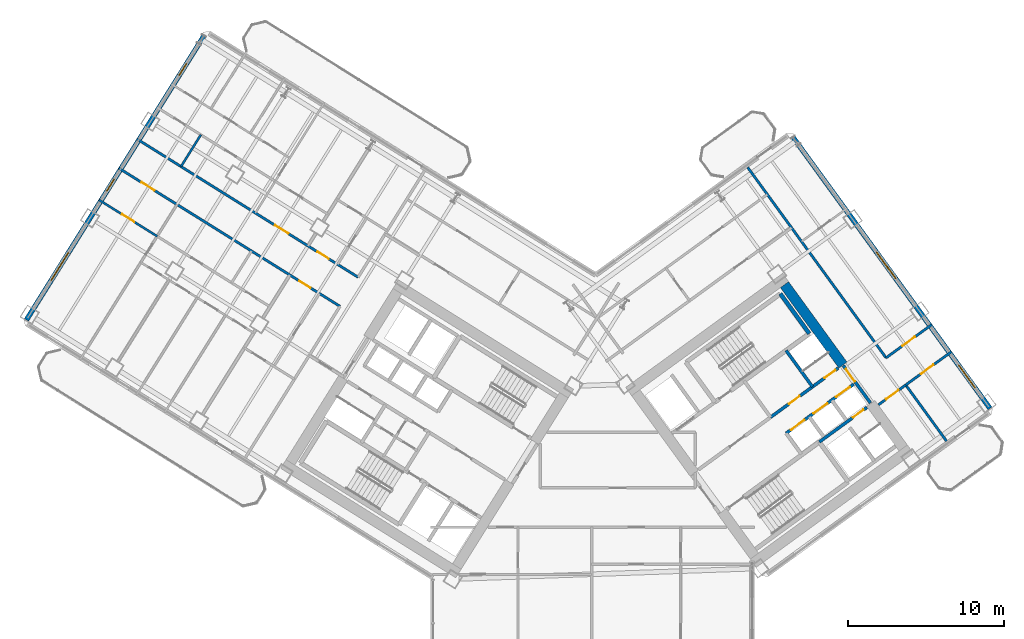
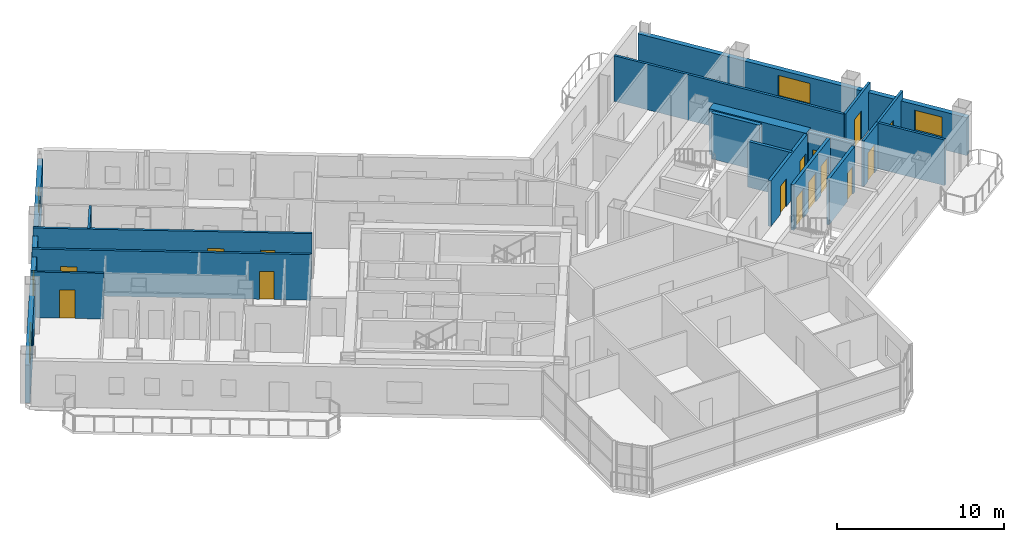
# One storey, part 15 of 21: 18 walls, 15 doors, 5 windows, 20 openings.
"""IFC4 building model written with IfcOpenShell, lengths in metres."""

from ifc_helpers import new_model, si_unit, direction, frame, frame_2d, origin, place, context, subcontext, project, spatial, rectangle, extrude, source, transform, mapped, material, layer, layer_set, type_object, element, fill, save


model = new_model("IFC4")

# Units and contexts
model_context = context("Model", 3, precision=1e-05, world=origin(), true_north=direction((0.0, 1.0)))
body_context = subcontext(model_context, "Body", "Model", "MODEL_VIEW")
ifc_project = project(units=[si_unit("LENGTHUNIT", "METRE"), si_unit("AREAUNIT", "SQUARE_METRE"), si_unit("VOLUMEUNIT", "CUBIC_METRE"), si_unit("PLANEANGLEUNIT", "RADIAN"), si_unit("MASSUNIT", "GRAM", prefix="KILO")], contexts=[model_context])

# Site, building, storey
site_placement = place(None, origin())
site = spatial("IfcSite", under=ifc_project, at=site_placement, CompositionType="ELEMENT")
building_placement = place(site_placement, origin())
building = spatial("IfcBuilding", under=site, at=building_placement, Name="Tlacorven Tower", CompositionType="ELEMENT")
storey_placement = place(building_placement, frame((0.0, 0.0, 90.0)))
storey = spatial("IfcBuildingStorey", under=building, at=storey_placement, Name="L22", CompositionType="ELEMENT", Elevation=90.0)

# Wall
ifc_material_1 = material(Name="Concrete C60/75", Category="concrete")
ifc_layer_1 = layer(ifc_material_1, 0.64990234375)
ifc_layer_set_1 = layer_set([ifc_layer_1], Name="Concrete C60/75")
wall_type_1 = type_object("IfcWallType", Name="WL-COR-650", PredefinedType="SHEAR", material=ifc_layer_set_1)
wall_1_placement = place(storey_placement, frame((58.06396484375, 25.8134765625, 0.0), z_axis=(0.0, 0.0, 1.0), x_axis=(-0.58777996584, 0.809020835181, 0.0)))
element("IfcWall", 1, at=wall_1_placement, inside=storey, type_object=wall_type_1, Name="L22 E core end wall E2.2", PredefinedType="SHEAR", context=body_context, shape_type="SweptSolid", body=[
    extrude(rectangle(XDim=6.375, YDim=0.64990234375, at=frame_2d((3.1875, 0.0))), origin(), (0.0, 0.0, 1.0), 3.35009765625),
])

# Wall, openings, doors
ifc_material_2 = material(Name="Gypsum plasterboard acoustic partition", Category="gypsum")
ifc_layer_2 = layer(ifc_material_2, 0.159912109375)
ifc_layer_set_2 = layer_set([ifc_layer_2], Name="Gypsum plasterboard acoustic partition")
wall_type_2 = type_object("IfcWallType", Name="WL-DEM-160", PredefinedType="PARTITIONING", material=ifc_layer_set_2)
wall_2_placement = place(storey_placement, frame((26.97265625, 31.447265625, 0.0), z_axis=(0.0, 0.0, 1.0), x_axis=(-0.848048310262, 0.529918921593, 0.0)))
wall_2 = element("IfcWall", 2, at=wall_2_placement, inside=storey, type_object=wall_type_2, Name="L22 Wing W Corridor South Wall", PredefinedType="PARTITIONING", context=body_context, shape_type="SweptSolid", body=[
    extrude(rectangle(XDim=16.72998046875, YDim=0.159912109375, at=frame_2d((8.364990234375, 0.0))), origin(), (0.0, 0.0, 1.0), 3.340087890625),
])
opening_1_placement = place(wall_2_placement, frame((2.219970703125, 0.0, 0.0)))
opening_1 = element("IfcOpeningElement", 3, at=opening_1_placement, cuts=wall_2, Name="Opening D19", PredefinedType="OPENING", context=body_context, shape_type="SweptSolid", body=[
    extrude(rectangle(XDim=0.860107421875, YDim=2.050048828125, at=frame_2d((0.43017578125, 1.02490234375))), frame((0.0, 0.08984375, 0.0), z_axis=(0.0, -1.0, 0.0), x_axis=(1.0, 0.0, 0.0)), (0.0, 0.0, 1.0), 0.179931640625),
])
opening_2_placement = place(wall_2_placement, frame((5.280029296875, 0.0, 0.0)))
opening_2 = element("IfcOpeningElement", 4, at=opening_2_placement, cuts=wall_2, Name="Opening D11", PredefinedType="OPENING", context=body_context, shape_type="SweptSolid", body=[
    extrude(rectangle(XDim=1.0, YDim=2.10009765625, at=frame_2d((0.5, 1.050048828125))), frame((0.0, 0.08984375, 0.0), z_axis=(0.0, -1.0, 0.0), x_axis=(1.0, 0.0, 0.0)), (0.0, 0.0, 1.0), 0.179931640625),
])
ifc_material_3 = material(Name="Fire-rated steel door assembly", Category="steel")
door_type_1 = type_object("IfcDoorType", Name="DR-RSR-FD60-0860", OperationType="NOTDEFINED", PredefinedType="DOOR", material=ifc_material_3)
shared_shape_1 = source(origin(), body_context, "Body", "SweptSolid", [
    extrude(rectangle(XDim=0.860107421875, YDim=2.050048828125, at=frame_2d((0.43017578125, 1.02490234375))), frame((0.0, 0.02490234375, 0.0), z_axis=(0.0, -1.0, 0.0), x_axis=(1.0, 0.0, 0.0)), (0.0, 0.0, 1.0), 0.050048828125),
])
door_1_placement = place(opening_1_placement, origin())
door_1 = element("IfcDoor", 5, at=door_1_placement, inside=storey, type_object=door_type_1, Name="L22 door 036", OperationType="SINGLE_SWING_RIGHT", OverallHeight=2.050048828125, OverallWidth=0.860107421875, PredefinedType="DOOR", context=body_context, shape_type="MappedRepresentation", body=[
    mapped(shared_shape_1, transform((0.0, 0.0, 0.0), scale=1.0)),
])
fill(opening_1, door_1)
door_type_2 = type_object("IfcDoorType", Name="DR-FLT-FD60-1000", OperationType="NOTDEFINED", PredefinedType="DOOR", material=ifc_material_3)
shared_shape_2 = source(origin(), body_context, "Body", "SweptSolid", [
    extrude(rectangle(XDim=1.0, YDim=2.10009765625, at=frame_2d((0.5, 1.050048828125))), frame((0.0, 0.02490234375, 0.0), z_axis=(0.0, -1.0, 0.0), x_axis=(1.0, 0.0, 0.0)), (0.0, 0.0, 1.0), 0.050048828125),
])
door_2_placement = place(opening_2_placement, origin())
door_2 = element("IfcDoor", 6, at=door_2_placement, inside=storey, type_object=door_type_2, Name="L22 door 040", OperationType="SINGLE_SWING_RIGHT", OverallHeight=2.10009765625, OverallWidth=1.0, PredefinedType="DOOR", context=body_context, shape_type="MappedRepresentation", body=[
    mapped(shared_shape_2, transform((0.0, 0.0, 0.0), scale=1.0)),
])
fill(opening_2, door_2)

wall_3_placement = place(storey_placement, frame((25.806884765625, 29.58154296875, 0.0), z_axis=(0.0, 0.0, 1.0), x_axis=(-0.848052408131, 0.529912363569, 0.0)))
wall_3 = element("IfcWall", 7, at=wall_3_placement, inside=storey, type_object=wall_type_2, Name="L22 Wing W Corridor North Wall", PredefinedType="PARTITIONING", context=body_context, shape_type="SweptSolid", body=[
    extrude(rectangle(XDim=16.72998046875, YDim=0.159912109375, at=frame_2d((8.364990234375, 0.0))), origin(), (0.0, 0.0, 1.0), 3.340087890625),
])
opening_3_placement = place(wall_3_placement, frame((2.219970703125, 0.0, 0.0)))
opening_3 = element("IfcOpeningElement", 8, at=opening_3_placement, cuts=wall_3, Name="Opening D19", PredefinedType="OPENING", context=body_context, shape_type="SweptSolid", body=[
    extrude(rectangle(XDim=0.860107421875, YDim=2.050048828125, at=frame_2d((0.43017578125, 1.02490234375))), frame((0.0, 0.08984375, 0.0), z_axis=(0.0, -1.0, 0.0), x_axis=(1.0, 0.0, 0.0)), (0.0, 0.0, 1.0), 0.179931640625),
])
opening_4_placement = place(wall_3_placement, frame((14.013427734375, 0.0, 0.0)))
opening_4 = element("IfcOpeningElement", 9, at=opening_4_placement, cuts=wall_3, Name="Opening D11", PredefinedType="OPENING", context=body_context, shape_type="SweptSolid", body=[
    extrude(rectangle(XDim=1.0, YDim=2.10009765625, at=frame_2d((0.5, 1.050048828125))), frame((0.0, 0.08984375, 0.0), z_axis=(0.0, -1.0, 0.0), x_axis=(1.0, 0.0, 0.0)), (0.0, 0.0, 1.0), 0.179931640625),
])
door_3_placement = place(opening_3_placement, origin())
door_3 = element("IfcDoor", 10, at=door_3_placement, inside=storey, type_object=door_type_1, Name="L22 door 023", OperationType="SINGLE_SWING_LEFT", OverallHeight=2.050048828125, OverallWidth=0.860107421875, PredefinedType="DOOR", context=body_context, shape_type="MappedRepresentation", body=[
    mapped(shared_shape_1, transform((0.0, 0.0, 0.0), scale=1.0)),
])
fill(opening_3, door_3)
door_4_placement = place(opening_4_placement, origin())
door_4 = element("IfcDoor", 11, at=door_4_placement, inside=storey, type_object=door_type_2, Name="L22 door 027", OperationType="SINGLE_SWING_LEFT", OverallHeight=2.10009765625, OverallWidth=1.0, PredefinedType="DOOR", context=body_context, shape_type="MappedRepresentation", body=[
    mapped(shared_shape_2, transform((0.0, 0.0, 0.0), scale=1.0)),
])
fill(opening_4, door_4)

# Wall, opening, door
wall_4_placement = place(storey_placement, frame((60.34716796875, 23.269775390625, 0.0), z_axis=(0.0, 0.0, 1.0), x_axis=(0.80899039758, 0.587821857898, 0.0)))
wall_4 = element("IfcWall", 12, at=wall_4_placement, inside=storey, type_object=wall_type_2, Name="L22 partition 100", PredefinedType="PARTITIONING", context=body_context, shape_type="SweptSolid", body=[
    extrude(rectangle(XDim=2.157958984375, YDim=0.159912109375, at=frame_2d((1.0791015625, 0.0))), origin(), (0.0, 0.0, 1.0), 3.340087890625),
])
opening_5_placement = place(wall_4_placement, frame((0.597900390625, 0.0, 0.0)))
opening_5 = element("IfcOpeningElement", 13, at=opening_5_placement, cuts=wall_4, Name="Opening D11", PredefinedType="OPENING", context=body_context, shape_type="SweptSolid", body=[
    extrude(rectangle(XDim=1.0, YDim=2.10009765625, at=frame_2d((0.5, 1.050048828125))), frame((0.0, 0.08984375, 0.0), z_axis=(0.0, -1.0, 0.0), x_axis=(1.0, 0.0, 0.0)), (0.0, 0.0, 1.0), 0.179931640625),
])
door_5_placement = place(opening_5_placement, frame((1.0, 0.0, 0.0), z_axis=(0.0, 0.0, 1.0), x_axis=(-1.0, 0.0, 0.0)))
door_5 = element("IfcDoor", 14, at=door_5_placement, inside=storey, type_object=door_type_2, Name="L22 door 064", OperationType="SINGLE_SWING_RIGHT", OverallHeight=2.10009765625, OverallWidth=1.0, PredefinedType="DOOR", context=body_context, shape_type="MappedRepresentation", body=[
    mapped(shared_shape_2, transform((0.0, 0.0, 0.0), scale=1.0)),
])
fill(opening_5, door_5)

# Walls
wall_5_placement = place(storey_placement, frame((64.708740234375, 20.93798828125, 0.0), z_axis=(0.0, 0.0, 1.0), x_axis=(-0.587773666605, 0.809025411743, 0.0)))
element("IfcWall", 15, at=wall_5_placement, inside=storey, type_object=wall_type_2, Name="L22 partition 102", PredefinedType="PARTITIONING", context=body_context, shape_type="SweptSolid", body=[
    extrude(rectangle(XDim=4.4501953125, YDim=0.159912109375, at=frame_2d((2.22509765625, 0.0))), origin(), (0.0, 0.0, 1.0), 3.340087890625),
])
wall_6_placement = place(storey_placement, frame((60.829345703125, 26.277587890625, 0.0), z_axis=(0.0, 0.0, 1.0), x_axis=(-0.587777474174, 0.809022645451, 0.0)))
element("IfcWall", 16, at=wall_6_placement, inside=storey, type_object=wall_type_2, Name="L22 partition 103", PredefinedType="PARTITIONING", context=body_context, shape_type="SweptSolid", body=[
    extrude(rectangle(XDim=15.10009765625, YDim=0.159912109375, at=frame_2d((7.550048828125, 0.0))), origin(), (0.0, 0.0, 1.0), 3.340087890625),
])

# Wall, opening, door
wall_7_placement = place(storey_placement, frame((62.093017578125, 24.538330078125, 0.0), z_axis=(0.0, 0.0, 1.0), x_axis=(0.809035546126, 0.58775971715, 0.0)))
wall_7 = element("IfcWall", 17, at=wall_7_placement, inside=storey, type_object=wall_type_2, Name="L22 partition 105", PredefinedType="PARTITIONING", context=body_context, shape_type="SweptSolid", body=[
    extrude(rectangle(XDim=3.6298828125, YDim=0.159912109375, at=frame_2d((1.81494140625, 0.0))), origin(), (0.0, 0.0, 1.0), 3.340087890625),
])
opening_6_placement = place(wall_7_placement, frame((1.199951171875, 0.0, 0.0)))
opening_6 = element("IfcOpeningElement", 18, at=opening_6_placement, cuts=wall_7, Name="Opening D11", PredefinedType="OPENING", context=body_context, shape_type="SweptSolid", body=[
    extrude(rectangle(XDim=1.0, YDim=2.10009765625, at=frame_2d((0.5, 1.050048828125))), frame((0.0, 0.08984375, 0.0), z_axis=(0.0, -1.0, 0.0), x_axis=(1.0, 0.0, 0.0)), (0.0, 0.0, 1.0), 0.179931640625),
])
door_6_placement = place(opening_6_placement, frame((1.0, 0.0, 0.0), z_axis=(0.0, 0.0, 1.0), x_axis=(-1.0, 0.0, 0.0)))
door_6 = element("IfcDoor", 19, at=door_6_placement, inside=storey, type_object=door_type_2, Name="L22 door 068", OperationType="SINGLE_SWING_RIGHT", OverallHeight=2.10009765625, OverallWidth=1.0, PredefinedType="DOOR", context=body_context, shape_type="MappedRepresentation", body=[
    mapped(shared_shape_2, transform((0.0, 0.0, 0.0), scale=1.0)),
])
fill(opening_6, door_6)

wall_8_placement = place(storey_placement, frame((60.829345703125, 26.277587890625, 0.0), z_axis=(0.0, 0.0, 1.0), x_axis=(0.809003564202, 0.587803736896, 0.0)))
wall_8 = element("IfcWall", 20, at=wall_8_placement, inside=storey, type_object=wall_type_2, Name="L22 partition 106", PredefinedType="PARTITIONING", context=body_context, shape_type="SweptSolid", body=[
    extrude(rectangle(XDim=3.630126953125, YDim=0.159912109375, at=frame_2d((1.81494140625, 0.0))), origin(), (0.0, 0.0, 1.0), 3.340087890625),
])
opening_7_placement = place(wall_8_placement, frame((1.304931640625, 0.0, 0.0)))
opening_7 = element("IfcOpeningElement", 21, at=opening_7_placement, cuts=wall_8, Name="Opening D11", PredefinedType="OPENING", context=body_context, shape_type="SweptSolid", body=[
    extrude(rectangle(XDim=1.0, YDim=2.10009765625, at=frame_2d((0.5, 1.050048828125))), frame((0.0, 0.08984375, 0.0), z_axis=(0.0, -1.0, 0.0), x_axis=(1.0, 0.0, 0.0)), (0.0, 0.0, 1.0), 0.179931640625),
])
door_7_placement = place(opening_7_placement, origin())
door_7 = element("IfcDoor", 22, at=door_7_placement, inside=storey, type_object=door_type_2, Name="L22 door 066", OperationType="SINGLE_SWING_LEFT", OverallHeight=2.10009765625, OverallWidth=1.0, PredefinedType="DOOR", context=body_context, shape_type="MappedRepresentation", body=[
    mapped(shared_shape_2, transform((0.0, 0.0, 0.0), scale=1.0)),
])
fill(opening_7, door_7)

# Wall, openings, windows
ifc_material_4 = material(Name="Precast concrete C45/55", Category="concrete")
ifc_layer_3 = layer(ifc_material_4, 0.320068359375)
ifc_layer_set_3 = layer_set([ifc_layer_3], Name="Precast concrete C45/55")
wall_type_3 = type_object("IfcWallType", Name="WL-EXT-320", PredefinedType="STANDARD", material=ifc_layer_set_3)
wall_9_placement = place(storey_placement, frame((5.699951171875, 28.71044921875, 0.0), z_axis=(0.0, 0.0, 1.0), x_axis=(0.529923711467, 0.8480453172, 0.0)))
wall_9 = element("IfcWall", 23, at=wall_9_placement, inside=storey, type_object=wall_type_3, Name="L22 Masonry-Frame Recessed Facade Wall 2", PredefinedType="STANDARD", context=body_context, shape_type="SweptSolid", body=[
    extrude(rectangle(XDim=21.58740234375, YDim=0.320068359375, at=frame_2d((10.793701171875, 0.0))), origin(), (0.0, 0.0, 1.0), 2.77490234375),
])
opening_8_placement = place(wall_9_placement, frame((2.99365234375, 0.0, 0.800048828125)))
opening_8 = element("IfcOpeningElement", 24, at=opening_8_placement, cuts=wall_9, Name="Opening WN04", PredefinedType="OPENING", context=body_context, shape_type="SweptSolid", body=[
    extrude(rectangle(XDim=2.10009765625, YDim=1.550048828125, at=frame_2d((1.050048828125, 0.77490234375))), frame((0.0, 0.169921875, 0.0), z_axis=(0.0, -1.0, 0.0), x_axis=(1.0, 0.0, 0.0)), (0.0, 0.0, 1.0), 0.340087890625),
])
opening_9_placement = place(wall_9_placement, frame((9.73876953125, 0.0, 1.0)))
opening_9 = element("IfcOpeningElement", 25, at=opening_9_placement, cuts=wall_9, Name="Opening WN05", PredefinedType="OPENING", context=body_context, shape_type="SweptSolid", body=[
    extrude(rectangle(XDim=0.89990234375, YDim=1.25, at=frame_2d((0.449951171875, 0.625))), frame((0.0, 0.169921875, 0.0), z_axis=(0.0, -1.0, 0.0), x_axis=(1.0, 0.0, 0.0)), (0.0, 0.0, 1.0), 0.340087890625),
])
opening_10_placement = place(wall_9_placement, frame((18.476318359375, 0.0, 1.0)))
opening_10 = element("IfcOpeningElement", 26, at=opening_10_placement, cuts=wall_9, Name="Opening WN05", PredefinedType="OPENING", context=body_context, shape_type="SweptSolid", body=[
    extrude(rectangle(XDim=0.89990234375, YDim=1.25, at=frame_2d((0.449951171875, 0.625))), frame((0.0, 0.169921875, 0.0), z_axis=(0.0, -1.0, 0.0), x_axis=(1.0, 0.0, 0.0)), (0.0, 0.0, 1.0), 0.340087890625),
])
ifc_material_5 = material(Name="Dark solar low-E double glazing in anodised aluminium frame", Category="aluminium")
window_type_1 = type_object("IfcWindowType", Name="WN-APT-2100X1750", PartitioningType="SINGLE_PANEL", PredefinedType="WINDOW", material=ifc_material_5)
shared_shape_3 = source(origin(), body_context, "Body", "SweptSolid", [
    extrude(rectangle(XDim=2.10009765625, YDim=1.550048828125, at=frame_2d((1.050048828125, 0.77490234375))), frame((0.0, 0.030029296875, 0.0), z_axis=(0.0, -1.0, 0.0), x_axis=(1.0, 0.0, 0.0)), (0.0, 0.0, 1.0), 0.06005859375),
])
window_1_placement = place(opening_8_placement, origin())
window_1 = element("IfcWindow", 27, at=window_1_placement, inside=storey, type_object=window_type_1, Name="L22 Recessed Masonry-Frame Window L22-02.1", OverallHeight=1.550048828125, OverallWidth=2.10009765625, PartitioningType="SINGLE_PANEL", PredefinedType="WINDOW", context=body_context, shape_type="MappedRepresentation", body=[
    mapped(shared_shape_3, transform((0.0, 0.0, 0.0), scale=1.0)),
])
fill(opening_8, window_1)
window_type_2 = type_object("IfcWindowType", Name="WN-APT-0900X1350", PartitioningType="SINGLE_PANEL", PredefinedType="WINDOW", material=ifc_material_5)
shared_shape_4 = source(origin(), body_context, "Body", "SweptSolid", [
    extrude(rectangle(XDim=0.89990234375, YDim=1.25, at=frame_2d((0.449951171875, 0.625))), frame((0.0, 0.030029296875, 0.0), z_axis=(0.0, -1.0, 0.0), x_axis=(1.0, 0.0, 0.0)), (0.0, 0.0, 1.0), 0.06005859375),
])
window_2_placement = place(opening_9_placement, origin())
window_2 = element("IfcWindow", 28, at=window_2_placement, inside=storey, type_object=window_type_2, Name="L22 Recessed Masonry-Frame Window L22-02.2", OverallHeight=1.25, OverallWidth=0.89990234375, PartitioningType="SINGLE_PANEL", PredefinedType="WINDOW", context=body_context, shape_type="MappedRepresentation", body=[
    mapped(shared_shape_4, transform((0.0, 0.0, 0.0), scale=1.0)),
])
fill(opening_9, window_2)
window_3_placement = place(opening_10_placement, origin())
window_3 = element("IfcWindow", 29, at=window_3_placement, inside=storey, type_object=window_type_2, Name="L22 Recessed Masonry-Frame Window L22-02.3", OverallHeight=1.25, OverallWidth=0.89990234375, PartitioningType="SINGLE_PANEL", PredefinedType="WINDOW", context=body_context, shape_type="MappedRepresentation", body=[
    mapped(shared_shape_4, transform((0.0, 0.0, 0.0), scale=1.0)),
])
fill(opening_10, window_3)

wall_10_placement = place(storey_placement, frame((54.810302734375, 40.49951171875, 0.0), z_axis=(0.0, 0.0, 1.0), x_axis=(0.587783625747, -0.809018176127, 0.0)))
wall_10 = element("IfcWall", 30, at=wall_10_placement, inside=storey, type_object=wall_type_3, Name="L22 Masonry-Frame Recessed Facade Wall 5", PredefinedType="STANDARD", context=body_context, shape_type="SweptSolid", body=[
    extrude(rectangle(XDim=21.58740234375, YDim=0.320068359375, at=frame_2d((10.793701171875, 0.0))), origin(), (0.0, 0.0, 1.0), 2.77490234375),
])
opening_11_placement = place(wall_10_placement, frame((9.193603515625, 0.0, 0.800048828125)))
opening_11 = element("IfcOpeningElement", 31, at=opening_11_placement, cuts=wall_10, Name="Opening WN04", PredefinedType="OPENING", context=body_context, shape_type="SweptSolid", body=[
    extrude(rectangle(XDim=2.10009765625, YDim=1.550048828125, at=frame_2d((1.050048828125, 0.77490234375))), frame((0.0, 0.169921875, 0.0), z_axis=(0.0, -1.0, 0.0), x_axis=(1.0, 0.0, 0.0)), (0.0, 0.0, 1.0), 0.340087890625),
])
opening_12_placement = place(wall_10_placement, frame((18.15869140625, 0.0, 0.85009765625)))
opening_12 = element("IfcOpeningElement", 32, at=opening_12_placement, cuts=wall_10, Name="Opening WN01", PredefinedType="OPENING", context=body_context, shape_type="SweptSolid", body=[
    extrude(rectangle(XDim=1.800048828125, YDim=1.5, at=frame_2d((0.89990234375, 0.75))), frame((0.0, 0.169921875, 0.0), z_axis=(0.0, -1.0, 0.0), x_axis=(1.0, 0.0, 0.0)), (0.0, 0.0, 1.0), 0.340087890625),
])
window_4_placement = place(opening_11_placement, origin())
window_4 = element("IfcWindow", 33, at=window_4_placement, inside=storey, type_object=window_type_1, Name="L22 Recessed Masonry-Frame Window L22-05.1", OverallHeight=1.550048828125, OverallWidth=2.10009765625, PartitioningType="SINGLE_PANEL", PredefinedType="WINDOW", context=body_context, shape_type="MappedRepresentation", body=[
    mapped(shared_shape_3, transform((0.0, 0.0, 0.0), scale=1.0)),
])
fill(opening_11, window_4)
window_type_3 = type_object("IfcWindowType", Name="WN-APT-1800X1650", PartitioningType="SINGLE_PANEL", PredefinedType="WINDOW", material=ifc_material_5)
shared_shape_5 = source(origin(), body_context, "Body", "SweptSolid", [
    extrude(rectangle(XDim=1.800048828125, YDim=1.5, at=frame_2d((0.89990234375, 0.75))), frame((0.0, 0.030029296875, 0.0), z_axis=(0.0, -1.0, 0.0), x_axis=(1.0, 0.0, 0.0)), (0.0, 0.0, 1.0), 0.06005859375),
])
window_5_placement = place(opening_12_placement, origin())
window_5 = element("IfcWindow", 34, at=window_5_placement, inside=storey, type_object=window_type_3, Name="L22 Recessed Masonry-Frame Window L22-05.2", OverallHeight=1.5, OverallWidth=1.800048828125, PartitioningType="SINGLE_PANEL", PredefinedType="WINDOW", context=body_context, shape_type="MappedRepresentation", body=[
    mapped(shared_shape_5, transform((0.0, 0.0, 0.0), scale=1.0)),
])
fill(opening_12, window_5)

# Wall, opening, door
ifc_material_6 = material(Name="Moisture-resistant gypsum plumbing wall", Category="gypsum")
ifc_layer_4 = layer(ifc_material_6, 0.139892578125)
ifc_layer_set_4 = layer_set([ifc_layer_4], Name="Moisture-resistant gypsum plumbing wall")
wall_type_4 = type_object("IfcWallType", Name="WL-PLM-140", PredefinedType="PLUMBINGWALL", material=ifc_layer_set_4)
wall_11_placement = place(storey_placement, frame((14.089599609375, 34.0732421875, 0.0), z_axis=(0.0, 0.0, 1.0), x_axis=(-0.848045135007, 0.529924003034, 0.0)))
wall_11 = element("IfcWall", 35, at=wall_11_placement, inside=storey, type_object=wall_type_4, Name="L22 partition 61", PredefinedType="PLUMBINGWALL", context=body_context, shape_type="SweptSolid", body=[
    extrude(rectangle(XDim=4.392822265625, YDim=0.139892578125, at=frame_2d((2.1962890625, 0.0))), origin(), (0.0, 0.0, 1.0), 3.340087890625),
])
opening_13_placement = place(wall_11_placement, frame((1.736572265625, 0.0, 0.0)))
opening_13 = element("IfcOpeningElement", 36, at=opening_13_placement, cuts=wall_11, Name="Opening D12", PredefinedType="OPENING", context=body_context, shape_type="SweptSolid", body=[
    extrude(rectangle(XDim=0.919921875, YDim=2.080078125, at=frame_2d((0.4599609375, 1.0400390625))), frame((0.0, 0.080078125, 0.0), z_axis=(0.0, -1.0, 0.0), x_axis=(1.0, 0.0, 0.0)), (0.0, 0.0, 1.0), 0.159912109375),
])
ifc_material_7 = material(Name="Powder-coated aluminium and timber door", Category="wood")
door_type_3 = type_object("IfcDoorType", Name="DR-INT-ROOM-0920", OperationType="NOTDEFINED", PredefinedType="DOOR", material=ifc_material_7)
shared_shape_6 = source(origin(), body_context, "Body", "SweptSolid", [
    extrude(rectangle(XDim=0.919921875, YDim=2.080078125, at=frame_2d((0.4599609375, 1.0400390625))), frame((0.0, 0.02490234375, 0.0), z_axis=(0.0, -1.0, 0.0), x_axis=(1.0, 0.0, 0.0)), (0.0, 0.0, 1.0), 0.050048828125),
])
door_8_placement = place(opening_13_placement, origin())
door_8 = element("IfcDoor", 37, at=door_8_placement, inside=storey, type_object=door_type_3, Name="L22 door 028", OperationType="SINGLE_SWING_RIGHT", OverallHeight=2.080078125, OverallWidth=0.919921875, PredefinedType="DOOR", context=body_context, shape_type="MappedRepresentation", body=[
    mapped(shared_shape_6, transform((0.0, 0.0, 0.0), scale=1.0)),
])
fill(opening_13, door_8)

# Wall
wall_12_placement = place(storey_placement, frame((16.89013671875, 40.58935546875, 0.0), z_axis=(0.0, 0.0, 1.0), x_axis=(-0.52988967038, -0.848066587731, 0.0)))
element("IfcWall", 38, at=wall_12_placement, inside=storey, type_object=wall_type_4, Name="L22 partition 75", PredefinedType="PLUMBINGWALL", context=body_context, shape_type="SweptSolid", body=[
    extrude(rectangle(XDim=2.41015625, YDim=0.139892578125, at=frame_2d((1.205078125, 0.0))), origin(), (0.0, 0.0, 1.0), 3.340087890625),
])

# Wall, opening, door
ifc_material_8 = material(Name="Concrete C40/50", Category="concrete")
ifc_layer_5 = layer(ifc_material_8, 0.199951171875)
ifc_layer_set_5 = layer_set([ifc_layer_5], Name="Concrete C40/50")
wall_type_5 = type_object("IfcWallType", Name="WL-SHF-200", PredefinedType="STANDARD", material=ifc_layer_set_5)
wall_13_placement = place(storey_placement, frame((56.552978515625, 20.884033203125, 0.0), z_axis=(0.0, 0.0, 1.0), x_axis=(0.809035789462, 0.587759382205, 0.0)))
wall_13 = element("IfcWall", 39, at=wall_13_placement, inside=storey, type_object=wall_type_5, Name="L22 Core E South Lift Shaft Wall", PredefinedType="STANDARD", context=body_context, shape_type="SweptSolid", body=[
    extrude(rectangle(XDim=3.767822265625, YDim=0.199951171875, at=frame_2d((1.8837890625, 0.0))), origin(), (0.0, 0.0, 1.0), 3.340087890625),
])
opening_14_placement = place(wall_13_placement, frame((2.64990234375, 0.0, 0.0)))
opening_14 = element("IfcOpeningElement", 40, at=opening_14_placement, cuts=wall_13, Name="Opening D19", PredefinedType="OPENING", context=body_context, shape_type="SweptSolid", body=[
    extrude(rectangle(XDim=0.860107421875, YDim=2.050048828125, at=frame_2d((0.43017578125, 1.02490234375))), frame((0.0, 0.10986328125, 0.0), z_axis=(0.0, -1.0, 0.0), x_axis=(1.0, 0.0, 0.0)), (0.0, 0.0, 1.0), 0.219970703125),
])
door_9_placement = place(opening_14_placement, origin())
door_9 = element("IfcDoor", 41, at=door_9_placement, inside=storey, type_object=door_type_1, Name="L22 Smoke Extract Riser Access Door", OperationType="SINGLE_SWING_LEFT", OverallHeight=2.050048828125, OverallWidth=0.860107421875, PredefinedType="DOOR", context=body_context, shape_type="MappedRepresentation", body=[
    mapped(shared_shape_1, transform((0.0, 0.0, 0.0), scale=1.0)),
])
fill(opening_14, door_9)

# Wall, openings, doors
wall_14_placement = place(storey_placement, frame((54.421142578125, 21.436279296875, 0.0), z_axis=(0.0, 0.0, 1.0), x_axis=(0.809013710463, 0.587789772183, 0.0)))
wall_14 = element("IfcWall", 42, at=wall_14_placement, inside=storey, type_object=wall_type_5, Name="L22 partition 36", PredefinedType="STANDARD", context=body_context, shape_type="SweptSolid", body=[
    extrude(rectangle(XDim=5.360107421875, YDim=0.199951171875, at=frame_2d((2.68017578125, 0.0))), origin(), (0.0, 0.0, 1.0), 3.340087890625),
])
opening_15_placement = place(wall_14_placement, frame((0.3701171875, 0.0, 0.0)))
opening_15 = element("IfcOpeningElement", 43, at=opening_15_placement, cuts=wall_14, Name="Opening LD01", PredefinedType="OPENING", context=body_context, shape_type="SweptSolid", body=[
    extrude(rectangle(XDim=1.10009765625, YDim=2.14990234375, at=frame_2d((0.550048828125, 1.074951171875))), frame((0.0, 0.10986328125, 0.0), z_axis=(0.0, -1.0, 0.0), x_axis=(1.0, 0.0, 0.0)), (0.0, 0.0, 1.0), 0.219970703125),
])
opening_16_placement = place(wall_14_placement, frame((2.169921875, 0.0, 0.0)))
opening_16 = element("IfcOpeningElement", 44, at=opening_16_placement, cuts=wall_14, Name="Opening LD01", PredefinedType="OPENING", context=body_context, shape_type="SweptSolid", body=[
    extrude(rectangle(XDim=1.10009765625, YDim=2.14990234375, at=frame_2d((0.550048828125, 1.074951171875))), frame((0.0, 0.10986328125, 0.0), z_axis=(0.0, -1.0, 0.0), x_axis=(1.0, 0.0, 0.0)), (0.0, 0.0, 1.0), 0.219970703125),
])
opening_17_placement = place(wall_14_placement, frame((3.969970703125, 0.0, 0.0)))
opening_17 = element("IfcOpeningElement", 45, at=opening_17_placement, cuts=wall_14, Name="Opening LD01", PredefinedType="OPENING", context=body_context, shape_type="SweptSolid", body=[
    extrude(rectangle(XDim=1.10009765625, YDim=2.14990234375, at=frame_2d((0.550048828125, 1.074951171875))), frame((0.0, 0.10986328125, 0.0), z_axis=(0.0, -1.0, 0.0), x_axis=(1.0, 0.0, 0.0)), (0.0, 0.0, 1.0), 0.219970703125),
])
door_type_4 = type_object("IfcDoorType", Name="DR-LFT-SLID-1100", OperationType="DOUBLE_DOOR_SLIDING", PredefinedType="DOOR", material=ifc_material_3)
shared_shape_7 = source(origin(), body_context, "Body", "SweptSolid", [
    extrude(rectangle(XDim=1.10009765625, YDim=2.14990234375, at=frame_2d((0.550048828125, 1.074951171875))), frame((0.0, 0.02490234375, 0.0), z_axis=(0.0, -1.0, 0.0), x_axis=(1.0, 0.0, 0.0)), (0.0, 0.0, 1.0), 0.050048828125),
])
door_10_placement = place(opening_15_placement, origin())
door_10 = element("IfcDoor", 46, at=door_10_placement, inside=storey, type_object=door_type_4, Name="L22 Lift PL-L1 Sliding Landing Door", OperationType="DOUBLE_DOOR_SLIDING", OverallHeight=2.14990234375, OverallWidth=1.10009765625, PredefinedType="DOOR", context=body_context, shape_type="MappedRepresentation", body=[
    mapped(shared_shape_7, transform((0.0, 0.0, 0.0), scale=1.0)),
])
fill(opening_15, door_10)
door_11_placement = place(opening_16_placement, origin())
door_11 = element("IfcDoor", 47, at=door_11_placement, inside=storey, type_object=door_type_4, Name="L22 Lift PL-L2 Sliding Landing Door", OperationType="DOUBLE_DOOR_SLIDING", OverallHeight=2.14990234375, OverallWidth=1.10009765625, PredefinedType="DOOR", context=body_context, shape_type="MappedRepresentation", body=[
    mapped(shared_shape_7, transform((0.0, 0.0, 0.0), scale=1.0)),
])
fill(opening_16, door_11)
door_12_placement = place(opening_17_placement, origin())
door_12 = element("IfcDoor", 48, at=door_12_placement, inside=storey, type_object=door_type_4, Name="L22 Lift PL-L3 Sliding Landing Door", OperationType="DOUBLE_DOOR_SLIDING", OverallHeight=2.14990234375, OverallWidth=1.10009765625, PredefinedType="DOOR", context=body_context, shape_type="MappedRepresentation", body=[
    mapped(shared_shape_7, transform((0.0, 0.0, 0.0), scale=1.0)),
])
fill(opening_17, door_12)

# Wall
wall_15_placement = place(storey_placement, frame((56.110595703125, 24.4189453125, 0.0), z_axis=(0.0, 0.0, 1.0), x_axis=(-0.58777848983, 0.809021907548, 0.0)))
element("IfcWall", 49, at=wall_15_placement, inside=storey, type_object=wall_type_5, Name="L22 partition 46", PredefinedType="STANDARD", context=body_context, shape_type="SweptSolid", body=[
    extrude(rectangle(XDim=2.880126953125, YDim=0.199951171875, at=frame_2d((1.43994140625, 0.0))), origin(), (0.0, 0.0, 1.0), 3.340087890625),
])

# Wall, openings, doors
wall_16_placement = place(storey_placement, frame((53.424560546875, 22.467529296875, 0.0), z_axis=(0.0, 0.0, 1.0), x_axis=(0.80902705128, 0.587771409902, 0.0)))
wall_16 = element("IfcWall", 50, at=wall_16_placement, inside=storey, type_object=wall_type_5, Name="L22 Core E North Service Wall", PredefinedType="STANDARD", context=body_context, shape_type="SweptSolid", body=[
    extrude(rectangle(XDim=5.3681640625, YDim=0.199951171875, at=frame_2d((2.68408203125, 0.0))), origin(), (0.0, 0.0, 1.0), 3.340087890625),
])
opening_18_placement = place(wall_16_placement, frame((4.280029296875, 0.0, 0.0)))
opening_18 = element("IfcOpeningElement", 51, at=opening_18_placement, cuts=wall_16, Name="Opening D19", PredefinedType="OPENING", context=body_context, shape_type="SweptSolid", body=[
    extrude(rectangle(XDim=0.860107421875, YDim=2.050048828125, at=frame_2d((0.43017578125, 1.02490234375))), frame((0.0, 0.10986328125, 0.0), z_axis=(0.0, -1.0, 0.0), x_axis=(1.0, 0.0, 0.0)), (0.0, 0.0, 1.0), 0.219970703125),
])
opening_19_placement = place(wall_16_placement, frame((1.449951171875, 0.0, 0.0)))
opening_19 = element("IfcOpeningElement", 52, at=opening_19_placement, cuts=wall_16, Name="Opening D19", PredefinedType="OPENING", context=body_context, shape_type="SweptSolid", body=[
    extrude(rectangle(XDim=0.860107421875, YDim=2.050048828125, at=frame_2d((0.43017578125, 1.02490234375))), frame((0.0, 0.10986328125, 0.0), z_axis=(0.0, -1.0, 0.0), x_axis=(1.0, 0.0, 0.0)), (0.0, 0.0, 1.0), 0.219970703125),
])
door_13_placement = place(opening_18_placement, frame((0.860107421875, 0.0, 0.0), z_axis=(0.0, 0.0, 1.0), x_axis=(-1.0, 0.0, 0.0)))
door_13 = element("IfcDoor", 53, at=door_13_placement, inside=storey, type_object=door_type_1, Name="L22 Electrical Riser Access Door E", OperationType="SINGLE_SWING_RIGHT", OverallHeight=2.050048828125, OverallWidth=0.860107421875, PredefinedType="DOOR", context=body_context, shape_type="MappedRepresentation", body=[
    mapped(shared_shape_1, transform((0.0, 0.0, 0.0), scale=1.0)),
])
fill(opening_18, door_13)
door_14_placement = place(opening_19_placement, frame((0.860107421875, 0.0, 0.0), z_axis=(0.0, 0.0, 1.0), x_axis=(-1.0, 0.0, 0.0)))
door_14 = element("IfcDoor", 54, at=door_14_placement, inside=storey, type_object=door_type_1, Name="L22 Housekeeping Linen Access Door E", OperationType="SINGLE_SWING_LEFT", OverallHeight=2.050048828125, OverallWidth=0.860107421875, PredefinedType="DOOR", context=body_context, shape_type="MappedRepresentation", body=[
    mapped(shared_shape_1, transform((0.0, 0.0, 0.0), scale=1.0)),
])
fill(opening_19, door_14)

# Wall, opening, door
wall_17_placement = place(storey_placement, frame((59.827392578125, 23.386474609375, 0.0), z_axis=(0.0, 0.0, 1.0), x_axis=(-0.587803840107, 0.809003489211, 0.0)))
wall_17 = element("IfcWall", 55, at=wall_17_placement, inside=storey, type_object=wall_type_5, Name="L22 partition 99", PredefinedType="STANDARD", context=body_context, shape_type="SweptSolid", body=[
    extrude(rectangle(XDim=2.960205078125, YDim=0.199951171875, at=frame_2d((1.47998046875, 0.0))), origin(), (0.0, 0.0, 1.0), 3.340087890625),
])
opening_20_placement = place(wall_17_placement, frame((1.679931640625, 0.0, 0.0)))
opening_20 = element("IfcOpeningElement", 56, at=opening_20_placement, cuts=wall_17, Name="Opening D11", PredefinedType="OPENING", context=body_context, shape_type="SweptSolid", body=[
    extrude(rectangle(XDim=1.0, YDim=2.10009765625, at=frame_2d((0.5, 1.050048828125))), frame((0.0, 0.10986328125, 0.0), z_axis=(0.0, -1.0, 0.0), x_axis=(1.0, 0.0, 0.0)), (0.0, 0.0, 1.0), 0.219970703125),
])
door_15_placement = place(opening_20_placement, origin())
door_15 = element("IfcDoor", 57, at=door_15_placement, inside=storey, type_object=door_type_2, Name="L22 door 065", OperationType="SINGLE_SWING_LEFT", OverallHeight=2.10009765625, OverallWidth=1.0, PredefinedType="DOOR", context=body_context, shape_type="MappedRepresentation", body=[
    mapped(shared_shape_2, transform((0.0, 0.0, 0.0), scale=1.0)),
])
fill(opening_20, door_15)

# Wall
ifc_material_9 = material(Name="Concrete C50/60", Category="concrete")
ifc_layer_6 = layer(ifc_material_9, 0.260009765625)
ifc_layer_set_6 = layer_set([ifc_layer_6], Name="Concrete C50/60")
wall_type_6 = type_object("IfcWallType", Name="WL-STW-260", PredefinedType="SHEAR", material=ifc_layer_set_6)
wall_18_placement = place(storey_placement, frame((55.906494140625, 27.83056640625, 0.0), z_axis=(0.0, 0.0, 1.0), x_axis=(-0.587804123638, 0.809003283204, 0.0)))
element("IfcWall", 58, at=wall_18_placement, inside=storey, type_object=wall_type_6, Name="L22 Stair E1 East Shear Wall", PredefinedType="SHEAR", context=body_context, shape_type="SweptSolid", body=[
    extrude(rectangle(XDim=3.159912109375, YDim=0.260009765625, at=frame_2d((1.580078125, 0.0))), origin(), (0.0, 0.0, 1.0), 3.35009765625),
])

save(model, "model.ifc")
